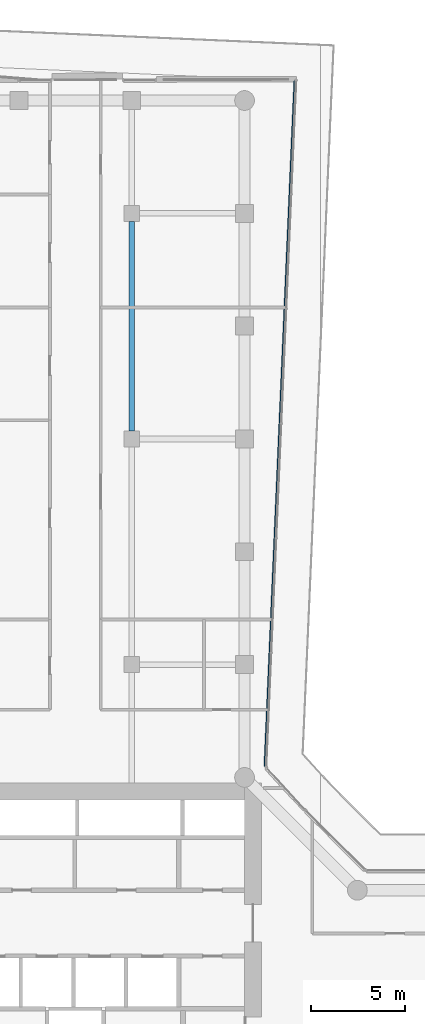
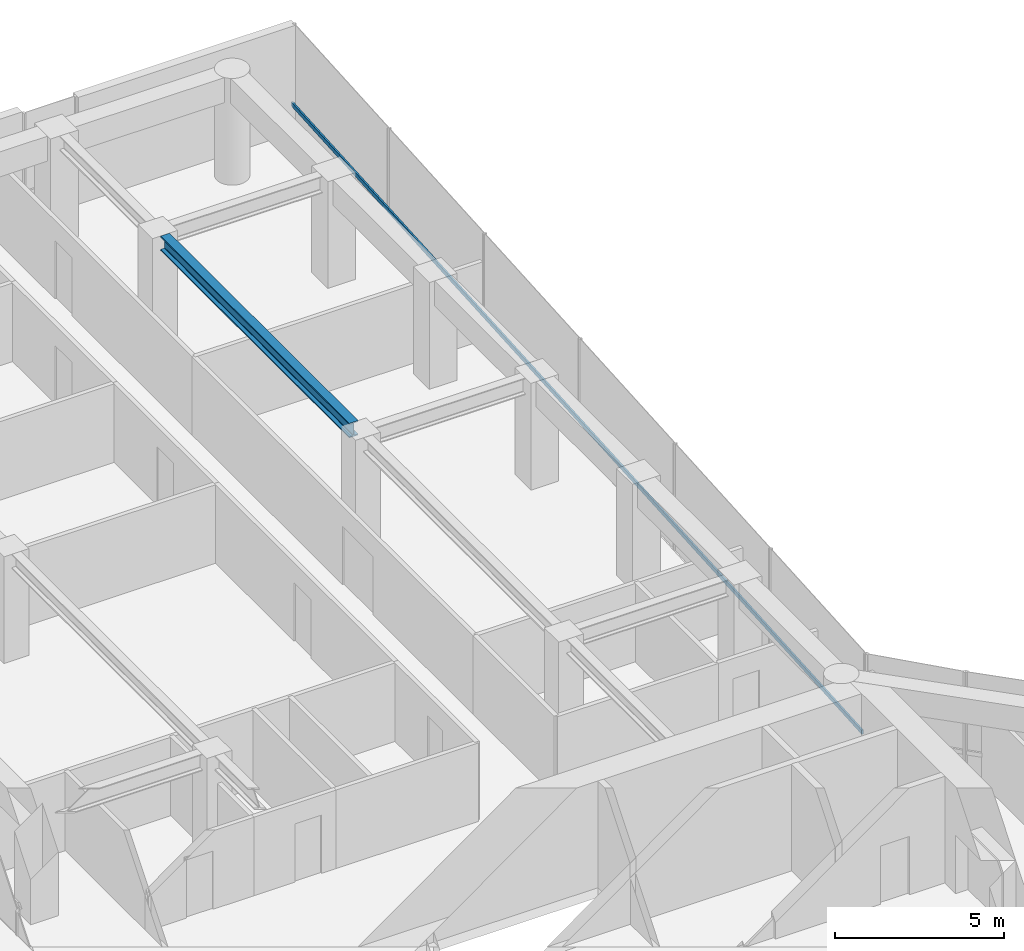
# One storey, part 18 of 29: 1 beam, 1 member, 1 element without a shape of its own.
"""IFC4 building model written with IfcOpenShell, lengths in metres."""

from ifc_helpers import new_model, si_unit, direction, frame, origin, origin_2d, place, context, subcontext, project, spatial, rectangle, i_section, extrude, material, layer, layer_set, material_profile, profile_set, type_object, element, aggregate, save


model = new_model("IFC4")

# Units and contexts
model_context = context("Model", 3, precision=1e-05, world=origin(), true_north=direction((0.0, 1.0)))
body_context = subcontext(model_context, "Body", "Model", "MODEL_VIEW")
ifc_project = project(units=[si_unit("LENGTHUNIT", "METRE"), si_unit("AREAUNIT", "SQUARE_METRE"), si_unit("VOLUMEUNIT", "CUBIC_METRE"), si_unit("PLANEANGLEUNIT", "RADIAN"), si_unit("MASSUNIT", "GRAM", prefix="KILO")], contexts=[model_context])

# Site, building, storey
site_placement = place(None, origin())
site = spatial("IfcSite", under=ifc_project, at=site_placement, CompositionType="ELEMENT")
building_placement = place(site_placement, origin())
building = spatial("IfcBuilding", under=site, at=building_placement, Name="Welwitschia Terrace Campus", CompositionType="ELEMENT")
storey_placement = place(building_placement, frame((0.0, 0.0, 41.60009765625)))
storey = spatial("IfcBuildingStorey", under=building, at=storey_placement, Name="L09", CompositionType="ELEMENT", Elevation=41.60009765625)

# Beam
ifc_material_1 = material(Name="Steel S355", Category="steel")
ifc_material_profile_1 = material_profile(ifc_material_1, i_section(OverallWidth=0.305908203125, OverallDepth=0.52392578125, WebThickness=0.02099609375, FlangeThickness=0.0400390625, FilletRadius=0.027099609375, at=origin_2d()))
ifc_profile_set_1 = profile_set([ifc_material_profile_1], Name="Steel S355")
beam_type = type_object("IfcBeamType", Name="Interior girder HE 500 M", PredefinedType="BEAM", material=ifc_profile_set_1)
beam_placement = place(storey_placement, frame((18.0, 44.425537109375, 3.587890625), z_axis=(0.0, 1.0, 0.0), x_axis=(-1.0, 0.0, 0.0)))
element("IfcBeam", 1, at=beam_placement, inside=storey, type_object=beam_type, Name="Girder GB2", PredefinedType="BEAM", context=body_context, shape_type="SweptSolid", body=[
    extrude(i_section(OverallWidth=0.305908203125, OverallDepth=0.52392578125, WebThickness=0.02099609375, FlangeThickness=0.0400390625, FilletRadius=0.027099609375, at=origin_2d()), origin(), (0.0, 0.0, 1.0), 11.14892578125),
])

# Curtain wall, member
ifc_material_2 = material(Name="Bronze anodised aluminium", Category="aluminium")
ifc_layer = layer(ifc_material_2, 0.1201171875)
ifc_layer_set = layer_set([ifc_layer], Name="Bronze anodised aluminium")
curtain_wall_type = type_object("IfcCurtainWallType", Name="Curtain wall CW2 tower 6000", PredefinedType="NOTDEFINED", material=ifc_layer_set)
curtain_wall_placement = place(storey_placement, origin())
curtain_wall = element("IfcCurtainWall", 2, at=curtain_wall_placement, inside=storey, type_object=curtain_wall_type, Name="CW L09.11.0", PredefinedType="NOTDEFINED")
ifc_material_3 = material(Name="Bronze anodised aluminium", Category="aluminium")
ifc_material_profile_2 = material_profile(ifc_material_3, rectangle(XDim=0.06005859375, YDim=0.14990234375, at=origin_2d()))
ifc_profile_set_2 = profile_set([ifc_material_profile_2], Name="Bronze anodised aluminium")
member_type = type_object("IfcMemberType", Name="Transom 60x150", PredefinedType="USERDEFINED", material=ifc_profile_set_2)
member_placement = place(storey_placement, frame((25.066650390625, 26.596435546875, 1.0), z_axis=(0.043624447213, 0.999048000651, 0.0), x_axis=(-0.999048000651, 0.043624447213, 0.0)))
member = element("IfcMember", 3, at=member_placement, type_object=member_type, Name="Transom L09.11.0", ObjectType="TRANSOM", PredefinedType="USERDEFINED", context=body_context, shape_type="SweptSolid", body=[
    extrude(rectangle(XDim=0.06005859375, YDim=0.14990234375, at=origin_2d()), origin(), (0.0, 0.0, 1.0), 36.499755859375),
])
aggregate(curtain_wall, [member])

save(model, "model.ifc")
